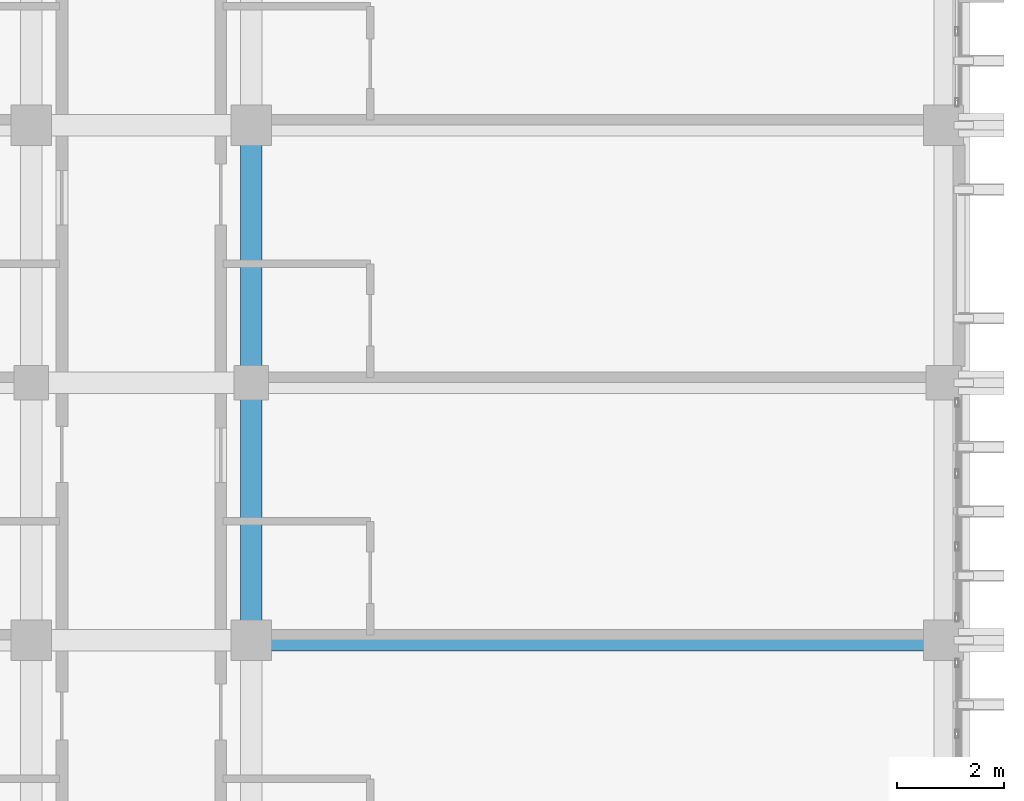
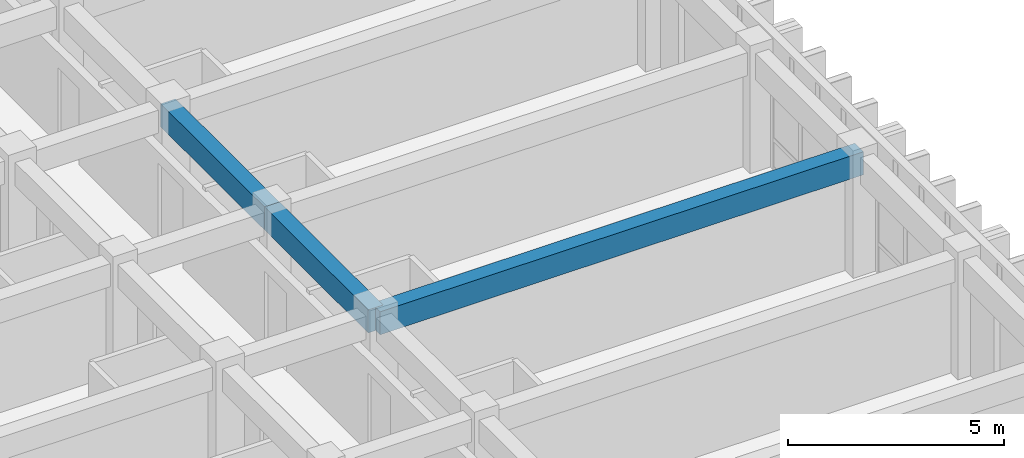
# One storey, part 15 of 64: 3 beams.
"""IFC4 building model written with IfcOpenShell, lengths in metres."""

from ifc_helpers import new_model, si_unit, direction, frame, origin, origin_2d, place, context, subcontext, project, spatial, rectangle, extrude, material, material_profile, profile_set, type_object, element, save


model = new_model("IFC4")

# Units and contexts
model_context = context("Model", 3, precision=1e-05, world=origin(), true_north=direction((0.0, 1.0)))
body_context = subcontext(model_context, "Body", "Model", "MODEL_VIEW")
ifc_project = project(units=[si_unit("LENGTHUNIT", "METRE"), si_unit("AREAUNIT", "SQUARE_METRE"), si_unit("VOLUMEUNIT", "CUBIC_METRE"), si_unit("PLANEANGLEUNIT", "RADIAN"), si_unit("MASSUNIT", "GRAM", prefix="KILO")], contexts=[model_context])

# Site, building, storey
site_placement = place(None, origin())
site = spatial("IfcSite", under=ifc_project, at=site_placement, CompositionType="ELEMENT")
building_placement = place(site_placement, origin())
building = spatial("IfcBuilding", under=site, at=building_placement, Name="Nakhvara Creek Congress Hotel", CompositionType="ELEMENT")
storey_placement = place(building_placement, frame((0.0, 0.0, 28.199951171875)))
storey = spatial("IfcBuildingStorey", under=building, at=storey_placement, Name="L06", CompositionType="ELEMENT", Elevation=28.199951171875)

# Beams
ifc_material = material(Name="Concrete C40/50", Category="concrete")
ifc_material_profile = material_profile(ifc_material, rectangle(XDim=0.39990234375, YDim=0.64990234375, at=origin_2d()), Name="RC-BM 400x650", Category="LoadBearing")
ifc_profile_set = profile_set([ifc_material_profile], Name="Concrete C40/50")
beam_type = type_object("IfcBeamType", Name="BM-RC-400X650", PredefinedType="BEAM", material=ifc_profile_set)
beam_1_placement = place(storey_placement, frame((166.449951171875, 57.60009765625, 3.01513671875), z_axis=(1.0, 0.0, 0.0), x_axis=(0.0, 1.0, 0.0)))
element("IfcBeam", 1, at=beam_1_placement, inside=storey, type_object=beam_type, Name="Beam B06-L06-2252", PredefinedType="BEAM", context=body_context, shape_type="SweptSolid", body=[
    extrude(rectangle(XDim=0.39990234375, YDim=0.64990234375, at=origin_2d()), origin(), (0.0, 0.0, 1.0), 12.900146484375),
])
beam_2_placement = place(storey_placement, frame((166.449951171875, 57.60009765625, 3.01513671875), z_axis=(0.0, 1.0, 0.0), x_axis=(-1.0, 0.0, 0.0)))
element("IfcBeam", 2, at=beam_2_placement, inside=storey, type_object=beam_type, Name="Beam B06-L06-2254", PredefinedType="BEAM", context=body_context, shape_type="SweptSolid", body=[
    extrude(rectangle(XDim=0.39990234375, YDim=0.64990234375, at=origin_2d()), origin(), (0.0, 0.0, 1.0), 4.7998046875),
])
beam_3_placement = place(storey_placement, frame((166.449951171875, 62.39990234375, 3.01513671875), z_axis=(0.0, 1.0, 0.0), x_axis=(-1.0, 0.0, 0.0)))
element("IfcBeam", 3, at=beam_3_placement, inside=storey, type_object=beam_type, Name="Beam B06-L06-2256", PredefinedType="BEAM", context=body_context, shape_type="SweptSolid", body=[
    extrude(rectangle(XDim=0.39990234375, YDim=0.64990234375, at=origin_2d()), origin(), (0.0, 0.0, 1.0), 4.800048828125),
])

save(model, "model.ifc")
